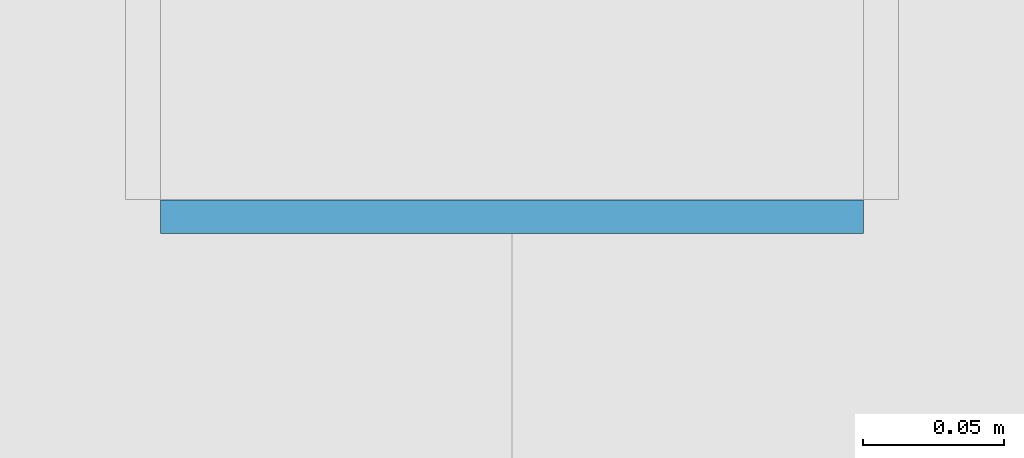
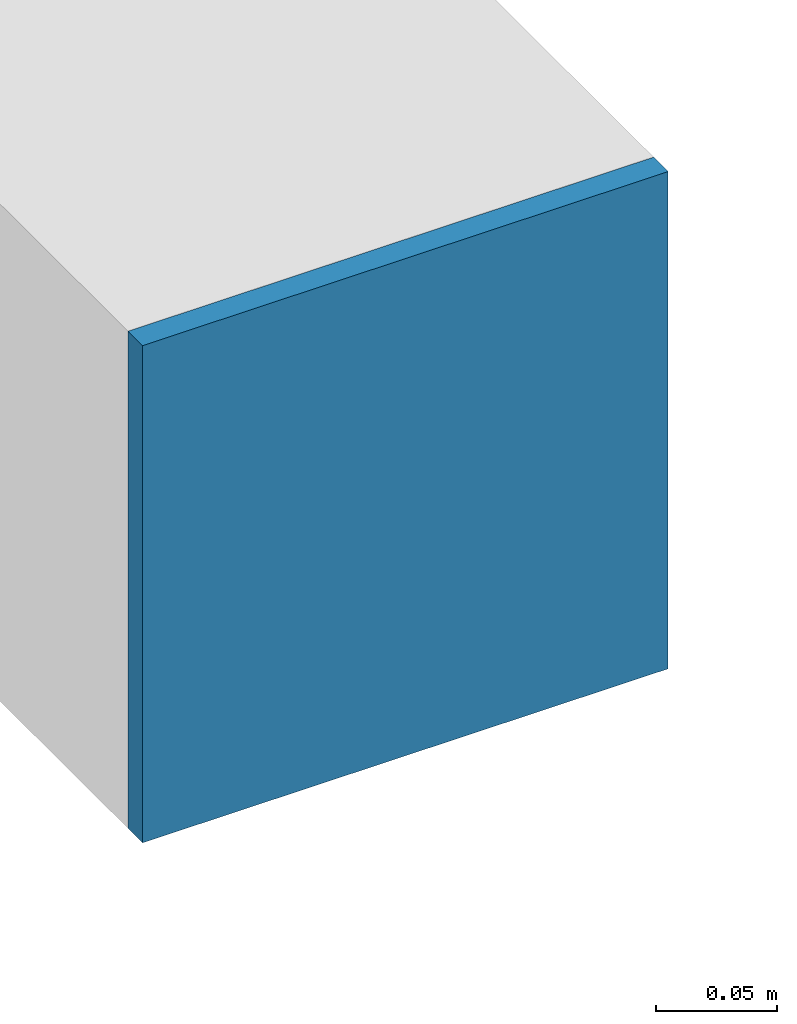
# One storey, part 32 of 44: 1 plate.
"""IFC4 building model written with IfcOpenShell, lengths in metres."""

import ifcopenshell
import ifcopenshell.guid

model = None  # the IFC model being written
_history = None  # IfcOwnerHistory: only IFC2X3 demands one
_inside = {}  # id of a spatial element -> (the spatial element, [elements in it])
_under = {}  # id of a project, library or spatial element -> (it, [spatial elements below it])
_declared = {}  # id of a project -> (the project, [libraries it declares])
_typed = {}  # id of a type object -> (the type object, [elements of that type])
_made_of = {}  # id of a material, layer set ... -> (it, [elements and type objects made of it])


def new_model(schema):
    """Start an empty IFC model of exactly this schema.

    Asked for "IFC4X3", IfcOpenShell would pick the latest addendum, in which some entities
    have other attributes; the version numbers below select the first issue.
    IFC2X3 requires an IfcOwnerHistory on every rooted entity: one is made here for all.
    """
    global model, _history
    if schema == "IFC4X3":
        model = ifcopenshell.file(schema_version=(4, 3, 0, 0))
    else:
        model = ifcopenshell.file(schema=schema)
    _inside.clear()
    _under.clear()
    _declared.clear()
    _typed.clear()
    _made_of.clear()
    _history = None
    if model.schema == "IFC2X3":
        org = make("IfcOrganization", Name="unknown")
        user = make(
            "IfcPersonAndOrganization",
            ThePerson=make("IfcPerson", FamilyName="unknown"),
            TheOrganization=org,
        )
        app = make(
            "IfcApplication",
            ApplicationDeveloper=org,
            Version="unknown",
            ApplicationFullName="unknown",
            ApplicationIdentifier="unknown",
        )
        _history = make(
            "IfcOwnerHistory",
            OwningUser=user,
            OwningApplication=app,
            ChangeAction="ADDED",
            CreationDate=0,
        )
    return model


def make(cls, **values):
    """One entity of the class cls with the attributes given. An attribute that is None is left unset."""
    return model.create_entity(
        cls, **{name: value for name, value in values.items() if value is not None}
    )


def rooted(cls, **values):
    """An entity with a GlobalId (a new one), such as an element, a storey or a relation."""
    return make(cls, GlobalId=ifcopenshell.guid.new(), OwnerHistory=_history, **values)


def si_unit(unit_type, name, prefix=None):
    """IfcSIUnit, for example si_unit("LENGTHUNIT", "METRE", prefix="MILLI")."""
    return make("IfcSIUnit", UnitType=unit_type, Prefix=prefix, Name=name)


def assignment(units):
    """IfcUnitAssignment: the units of a project."""
    return None if units is None else make("IfcUnitAssignment", Units=units)


def point(xyz):
    """IfcCartesianPoint."""
    return None if xyz is None else make("IfcCartesianPoint", Coordinates=xyz)


def direction(xyz):
    """IfcDirection."""
    return None if xyz is None else make("IfcDirection", DirectionRatios=xyz)


def frame(location, z_axis=None, x_axis=None):
    """IfcAxis2Placement3D, a coordinate frame: its origin and axes. An axis left out is left unset."""
    return make(
        "IfcAxis2Placement3D",
        Location=point(location),
        Axis=direction(z_axis),
        RefDirection=direction(x_axis),
    )


def frame_2d(location, x_axis=None):
    """IfcAxis2Placement2D, a coordinate frame in the plane: its origin and x axis."""
    return make(
        "IfcAxis2Placement2D", Location=point(location), RefDirection=direction(x_axis)
    )


def origin():
    """The frame at (0, 0, 0) with its axes left unset."""
    return frame((0.0, 0.0, 0.0))


def origin_2d():
    """The frame at (0, 0) in the plane with its x axis left unset."""
    return frame_2d((0.0, 0.0))


def place(relative_to, where):
    """IfcLocalPlacement: puts the frame where relative to a parent placement (None: the world)."""
    return make(
        "IfcLocalPlacement", PlacementRelTo=relative_to, RelativePlacement=where
    )


def context(
    kind, dimensions, precision=None, world=None, true_north=None, identifier=None
):
    """IfcGeometricRepresentationContext, for example the 3D "Model" context."""
    return make(
        "IfcGeometricRepresentationContext",
        ContextIdentifier=identifier,
        ContextType=kind,
        CoordinateSpaceDimension=dimensions,
        Precision=precision,
        WorldCoordinateSystem=world,
        TrueNorth=true_north,
    )


def subcontext(parent, identifier, kind, view, scale=None):
    """IfcGeometricRepresentationSubContext, for example "Body" below "Model"."""
    return make(
        "IfcGeometricRepresentationSubContext",
        ContextIdentifier=identifier,
        ContextType=kind,
        ParentContext=parent,
        TargetScale=scale,
        TargetView=view,
    )


def project(units=None, contexts=None):
    """IfcProject with its units and contexts."""
    return rooted(
        "IfcProject",
        Name="project",
        RepresentationContexts=contexts,
        UnitsInContext=assignment(units),
    )


def spatial(cls, under=None, at=None, **own):
    """A site, building, storey or space (cls), placed at a placement, below another one or the project."""
    s = rooted(cls, ObjectPlacement=at, **own)
    if under is not None:
        _under.setdefault(under.id(), (under, []))[1].append(s)
    return s


def profile(cls, at=None, kind="AREA", **sizes):
    """A parametric profile (cls). Its sizes go by their IFC names, for example OverallWidth=200.0."""
    return make(cls, ProfileType=kind, Position=at, **sizes)


def rectangle(**sizes):
    """IfcRectangleProfileDef."""
    return profile("IfcRectangleProfileDef", **sizes)


def extrude(swept, where, along, depth):
    """IfcExtrudedAreaSolid: the profile swept, set in the frame where, extruded along a direction by depth."""
    return make(
        "IfcExtrudedAreaSolid",
        SweptArea=swept,
        Position=where,
        ExtrudedDirection=direction(along),
        Depth=depth,
    )


def shape(context_of_items, identifier, shape_type, items):
    """IfcShapeRepresentation: the items that make up one representation, for example the "Body"."""
    return make(
        "IfcShapeRepresentation",
        ContextOfItems=context_of_items,
        RepresentationIdentifier=identifier,
        RepresentationType=shape_type,
        Items=items,
    )


def source(mapping_origin, context_of_items, identifier, shape_type, items):
    """IfcRepresentationMap: a shape defined once, which mapped items show again and again."""
    return make(
        "IfcRepresentationMap",
        MappingOrigin=mapping_origin,
        MappedRepresentation=shape(context_of_items, identifier, shape_type, items),
    )


def transform(
    local_origin,
    x_axis=None,
    y_axis=None,
    z_axis=None,
    scale=None,
    scale2=None,
    scale3=None,
    uniform=True,
):
    """IfcCartesianTransformationOperator3D, or its non-uniform kind. x_axis, y_axis, z_axis: its Axis1, 2, 3."""
    if uniform:
        return make(
            "IfcCartesianTransformationOperator3D",
            Axis1=direction(x_axis),
            Axis2=direction(y_axis),
            LocalOrigin=point(local_origin),
            Scale=scale,
            Axis3=direction(z_axis),
        )
    return make(
        "IfcCartesianTransformationOperator3DnonUniform",
        Axis1=direction(x_axis),
        Axis2=direction(y_axis),
        LocalOrigin=point(local_origin),
        Scale=scale,
        Axis3=direction(z_axis),
        Scale2=scale2,
        Scale3=scale3,
    )


def mapped(mapping_source, mapping_target):
    """IfcMappedItem: shows the shape of a source again, moved by a transform."""
    return make(
        "IfcMappedItem", MappingSource=mapping_source, MappingTarget=mapping_target
    )


def material(Name=None, Category=None):
    """IfcMaterial."""
    return make("IfcMaterial", Name=Name, Category=Category)


def layer(
    of_material, thickness, ventilated=None, Name=None, Category=None, Priority=None
):
    """IfcMaterialLayer: one layer of a wall or slab, of a material (None: an air gap)."""
    return make(
        "IfcMaterialLayer",
        Material=of_material,
        LayerThickness=thickness,
        IsVentilated=ventilated,
        Name=Name,
        Category=Category,
        Priority=Priority,
    )


def layer_set(layers, Name=None):
    """IfcMaterialLayerSet."""
    return make("IfcMaterialLayerSet", MaterialLayers=layers, LayerSetName=Name)


def made_of(thing, what):
    """Note that an element or type object is made of a material, layer set ...; save() writes the relation."""
    if what is not None:
        _made_of.setdefault(what.id(), (what, []))[1].append(thing)
    return thing


def type_object(cls, material=None, **own):
    """A type object (cls), such as IfcWallType, which elements share."""
    return made_of(rooted(cls, **own), material)


def element(
    cls,
    number,
    at=None,
    inside=None,
    cuts=None,
    type_object=None,
    material=None,
    context=None,
    identifier="Body",
    shape_type=None,
    held_by="IfcProductDefinitionShape",
    body=None,
    shapes=None,
    **own,
):
    """One element of the class cls, such as IfcWall. Its Tag is "e" and its number.

    at: its placement. inside: the storey or other place that contains it. cuts: it is an
    opening in that element (IfcRelVoidsElement). A single representation is given by context,
    identifier, shape_type and body (its items); several are given by shapes. held_by: the class
    of the entity that holds the representations. save() writes the other relations.
    """
    e = rooted(cls, Tag="e%d" % number, ObjectPlacement=at, **own)
    if body is not None:
        shapes = [shape(context, identifier, shape_type, body)]
    if shapes is not None:
        e.Representation = make(held_by, Representations=shapes)
    if inside is not None:
        _inside.setdefault(inside.id(), (inside, []))[1].append(e)
    if cuts is not None:
        rooted(
            "IfcRelVoidsElement", RelatingBuildingElement=cuts, RelatedOpeningElement=e
        )
    if type_object is not None:
        _typed.setdefault(type_object.id(), (type_object, []))[1].append(e)
    return made_of(e, material)


def aggregate(whole, parts):
    """IfcRelAggregates: a whole, such as a stair, and the parts it consists of."""
    return rooted("IfcRelAggregates", RelatingObject=whole, RelatedObjects=parts)


def save(model, path):
    """Write the relations noted so far, then the file.

    IfcRelAggregates (storeys below a building ...), IfcRelContainedInSpatialStructure (elements
    in a storey), IfcRelDefinesByType, IfcRelAssociatesMaterial and IfcRelDeclares: one each for
    every whole, place, type object, material and project.
    """
    for whole, parts in _under.values():
        aggregate(whole, parts)
    for where, things in _inside.values():
        rooted(
            "IfcRelContainedInSpatialStructure",
            RelatedElements=things,
            RelatingStructure=where,
        )
    for kind, things in _typed.values():
        rooted("IfcRelDefinesByType", RelatedObjects=things, RelatingType=kind)
    for what, things in _made_of.values():
        rooted("IfcRelAssociatesMaterial", RelatedObjects=things, RelatingMaterial=what)
    for by, libraries in _declared.values():
        rooted("IfcRelDeclares", RelatingContext=by, RelatedDefinitions=libraries)
    model.write(path)


model = new_model("IFC4")

# Units and contexts
model_context = context("Model", 3, precision=1e-05, world=origin(), true_north=direction((0.0, 1.0)))
body_context = subcontext(model_context, "Body", "Model", "MODEL_VIEW")
ifc_project = project(units=[si_unit("LENGTHUNIT", "METRE"), si_unit("AREAUNIT", "SQUARE_METRE"), si_unit("VOLUMEUNIT", "CUBIC_METRE"), si_unit("PLANEANGLEUNIT", "RADIAN"), si_unit("MASSUNIT", "GRAM", prefix="KILO")], contexts=[model_context])

# Site, building, storey
site_placement = place(None, origin())
site = spatial("IfcSite", under=ifc_project, at=site_placement, CompositionType="ELEMENT")
building_placement = place(site_placement, origin())
building = spatial("IfcBuilding", under=site, at=building_placement, Name="Taldren Reach Tower", CompositionType="ELEMENT")
storey_placement = place(building_placement, frame((0.0, 0.0, 38.85009765625)))
storey = spatial("IfcBuildingStorey", under=building, at=storey_placement, Name="L11", CompositionType="ELEMENT", Elevation=38.85009765625)

# Plate
ifc_material = material(Name="Steel Gr 350 (C350L0)", Category="steel")
ifc_layer = layer(ifc_material, 0.011962890625)
ifc_layer_set = layer_set([ifc_layer], Name="Steel Gr 350 (C350L0)")
plate_type = type_object("IfcPlateType", Name="PL-CAP-250", PredefinedType="SHEET", material=ifc_layer_set)
shared_shape = source(origin(), body_context, "Body", "SweptSolid", [
    extrude(rectangle(XDim=0.25, YDim=0.011962890625, at=origin_2d()), origin(), (0.0, 0.0, 1.0), 0.25),
])
plate_placement = place(storey_placement, frame((29.760009765625, 0.593994140625, 0.094970703125), z_axis=(0.0, 0.0, 1.0), x_axis=(1.0, 0.0, 0.0)))
element("IfcPlate", 1, at=plate_placement, inside=storey, type_object=plate_type, Name="Tie strut end cap plate B1-S3 L11", PredefinedType="SHEET", context=body_context, shape_type="MappedRepresentation", body=[
    mapped(shared_shape, transform((0.0, 0.0, 0.0), scale=1.0)),
])

save(model, "model.ifc")
